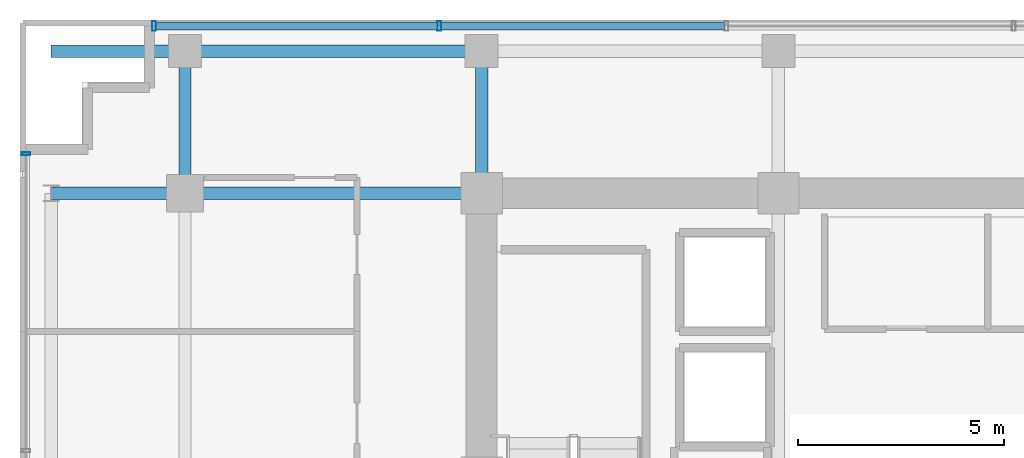
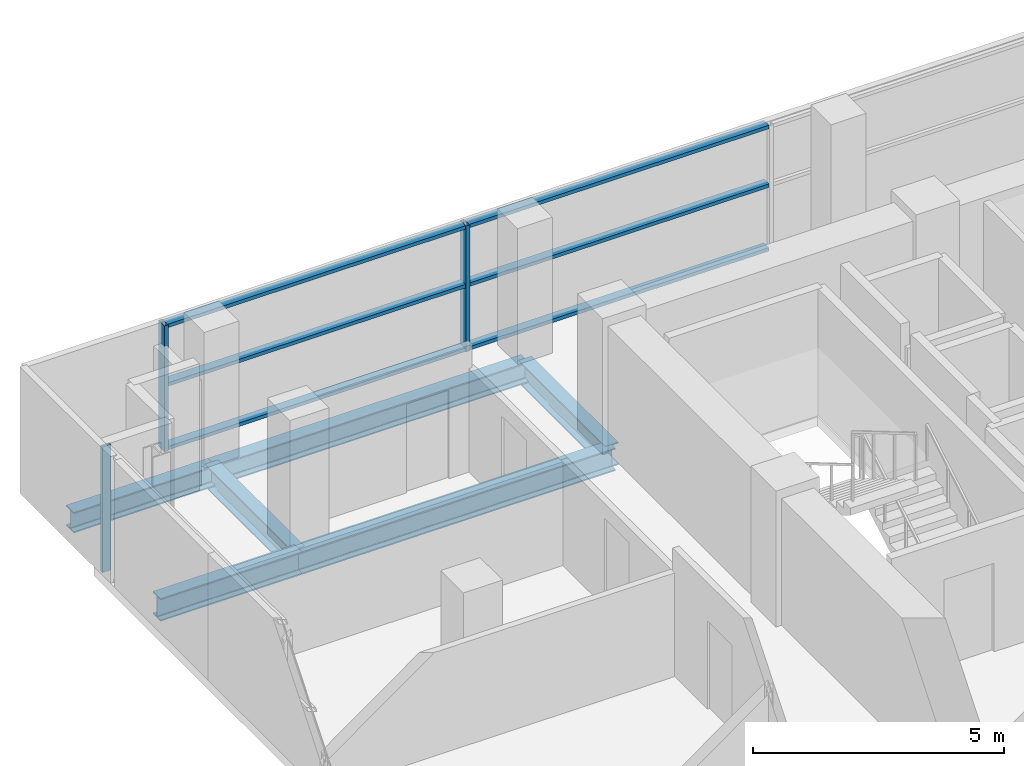
# One storey, part 12 of 24: 9 members, 6 beams, 2 elements without a shape of their own.
"""IFC4 building model written with IfcOpenShell, lengths in metres."""

from ifc_helpers import new_model, si_unit, direction, frame, origin, origin_2d, place, context, subcontext, project, spatial, hollow_rectangle, i_section, extrude, source, transform, mapped, material, layer, layer_set, material_profile, profile_set, type_object, element, aggregate, save


model = new_model("IFC4")

# Units and contexts
model_context = context("Model", 3, precision=1e-05, world=origin(), true_north=direction((0.0, 1.0)))
body_context = subcontext(model_context, "Body", "Model", "MODEL_VIEW")
ifc_project = project(units=[si_unit("LENGTHUNIT", "METRE"), si_unit("AREAUNIT", "SQUARE_METRE"), si_unit("VOLUMEUNIT", "CUBIC_METRE"), si_unit("PLANEANGLEUNIT", "RADIAN"), si_unit("MASSUNIT", "GRAM", prefix="KILO")], contexts=[model_context])

# Site, building, storey
site_placement = place(None, origin())
site = spatial("IfcSite", under=ifc_project, at=site_placement, CompositionType="ELEMENT")
building_placement = place(site_placement, origin())
building = spatial("IfcBuilding", under=site, at=building_placement, Name="Zarnakvel Exchange Tower", CompositionType="ELEMENT")
storey_placement = place(building_placement, frame((0.0, 0.0, 119.800048828125)))
storey = spatial("IfcBuildingStorey", under=building, at=storey_placement, Name="L33", CompositionType="ELEMENT", Elevation=119.800048828125)

# Beams
ifc_material_1 = material(Name="Steel S355", Category="steel")
ifc_material_profile_1 = material_profile(ifc_material_1, i_section(OverallWidth=0.300048828125, OverallDepth=0.550048828125, WebThickness=0.014892578125, FlangeThickness=0.029052734375, FilletRadius=0.027099609375, at=origin_2d()))
ifc_profile_set_1 = profile_set([ifc_material_profile_1], Name="Steel S355")
beam_type_1 = type_object("IfcBeamType", Name="G-05", PredefinedType="BEAM", material=ifc_profile_set_1)
beam_1_placement = place(storey_placement, frame((-24.85009765625, 13.5, -0.5), z_axis=(1.0, 0.0, 0.0), x_axis=(0.0, 1.0, 0.0)))
element("IfcBeam", 1, at=beam_1_placement, inside=storey, type_object=beam_type_1, Name="L33 Tower E-W Frame Beam", PredefinedType="BEAM", context=body_context, shape_type="SweptSolid", body=[
    extrude(i_section(OverallWidth=0.300048828125, OverallDepth=0.550048828125, WebThickness=0.014892578125, FlangeThickness=0.029052734375, FilletRadius=0.027099609375, at=origin_2d()), origin(), (0.0, 0.0, 1.0), 3.25),
])
beam_2_placement = place(storey_placement, frame((-21.60009765625, 13.5, -0.5), z_axis=(1.0, 0.0, 0.0), x_axis=(0.0, 1.0, 0.0)))
element("IfcBeam", 2, at=beam_2_placement, inside=storey, type_object=beam_type_1, Name="L33 Tower E-W Frame Beam", PredefinedType="BEAM", context=body_context, shape_type="SweptSolid", body=[
    extrude(i_section(OverallWidth=0.300048828125, OverallDepth=0.550048828125, WebThickness=0.014892578125, FlangeThickness=0.029052734375, FilletRadius=0.027099609375, at=origin_2d()), origin(), (0.0, 0.0, 1.0), 7.2001953125),
])
for number, where, z_axis, x_axis, name in (
    (3, (-21.60009765625, 13.5, -0.5), (0.0, 1.0, 0.0), (-1.0, 0.0, 0.0), "L33 Tower N-S Frame Beam"),
    (4, (-14.39990234375, 13.5, -0.5), (0.0, 1.0, 0.0), (-1.0, 0.0, 0.0), "L33 Tower N-S Frame Beam"),
):
    element("IfcBeam", number, at=place(storey_placement, frame(where, z_axis=z_axis, x_axis=x_axis)), inside=storey, type_object=beam_type_1, Name=name, PredefinedType="BEAM", context=body_context, shape_type="SweptSolid", body=[
        extrude(i_section(OverallWidth=0.300048828125, OverallDepth=0.550048828125, WebThickness=0.014892578125, FlangeThickness=0.029052734375, FilletRadius=0.027099609375, at=origin_2d()), origin(), (0.0, 0.0, 1.0), 3.449951171875),
    ])
ifc_material_profile_2 = material_profile(ifc_material_1, i_section(OverallWidth=0.300048828125, OverallDepth=0.5, WebThickness=0.014404296875, FlangeThickness=0.028076171875, FilletRadius=0.027099609375, at=origin_2d()))
ifc_profile_set_2 = profile_set([ifc_material_profile_2], Name="Steel S355")
beam_type_2 = type_object("IfcBeamType", Name="SP-02", PredefinedType="SPANDREL", material=ifc_profile_set_2)
beam_3_placement = place(storey_placement, frame((-21.60009765625, 16.949951171875, -0.47509765625), z_axis=(1.0, 0.0, 0.0), x_axis=(0.0, 1.0, 0.0)))
element("IfcBeam", 5, at=beam_3_placement, inside=storey, type_object=beam_type_2, Name="L33 Tower E-W Frame Beam", PredefinedType="SPANDREL", context=body_context, shape_type="SweptSolid", body=[
    extrude(i_section(OverallWidth=0.300048828125, OverallDepth=0.5, WebThickness=0.014404296875, FlangeThickness=0.028076171875, FilletRadius=0.027099609375, at=origin_2d()), origin(), (0.0, 0.0, 1.0), 7.2001953125),
])
beam_4_placement = place(storey_placement, frame((-24.85009765625, 16.949951171875, -0.47509765625), z_axis=(1.0, 0.0, 0.0), x_axis=(0.0, 1.0, 0.0)))
element("IfcBeam", 6, at=beam_4_placement, inside=storey, type_object=beam_type_2, Name="L33 North-West Corner Spandrel", PredefinedType="SPANDREL", context=body_context, shape_type="SweptSolid", body=[
    extrude(i_section(OverallWidth=0.300048828125, OverallDepth=0.5, WebThickness=0.014404296875, FlangeThickness=0.028076171875, FilletRadius=0.027099609375, at=origin_2d()), origin(), (0.0, 0.0, 1.0), 3.25),
])

# Curtain wall, members
ifc_material_2 = material(Name="Architectural Bronze Anodised Aluminium", Category="aluminium")
ifc_layer_1 = layer(ifc_material_2, 0.239990234375)
ifc_layer_set_1 = layer_set([ifc_layer_1], Name="Architectural Bronze Anodised Aluminium")
curtain_wall_type_1 = type_object("IfcCurtainWallType", Name="CW-02", PredefinedType="NOTDEFINED", material=ifc_layer_set_1)
curtain_wall_1_placement = place(storey_placement, origin())
curtain_wall_1 = element("IfcCurtainWall", 7, at=curtain_wall_1_placement, inside=storey, type_object=curtain_wall_type_1, Name="L33 Curtain Wall CW-L33-N1 (CW-02)", PredefinedType="NOTDEFINED")
ifc_material_profile_3 = material_profile(ifc_material_2, hollow_rectangle(XDim=0.239990234375, YDim=0.090087890625, WallThickness=0.006103515625, at=origin_2d()))
ifc_profile_set_3 = profile_set([ifc_material_profile_3], Name="Architectural Bronze Anodised Aluminium")
member_type_1 = type_object("IfcMemberType", Name="CWM-02", PredefinedType="MULLION", material=ifc_profile_set_3)
shared_shape_1 = source(origin(), body_context, "Body", "SweptSolid", [
    extrude(hollow_rectangle(XDim=0.239990234375, YDim=0.090087890625, WallThickness=0.006103515625, at=origin_2d()), origin(), (0.0, 0.0, 1.0), 3.054931640625),
])
member_1_placement = place(storey_placement, frame((-22.35498046875, 17.56005859375, 0.0), z_axis=(0.0, 0.0, 1.0), x_axis=(0.0, 1.0, 0.0)))
member_1 = element("IfcMember", 8, at=member_1_placement, type_object=member_type_1, Name="CW-02 mullion 1", PredefinedType="MULLION", context=body_context, shape_type="MappedRepresentation", body=[
    mapped(shared_shape_1, transform((0.0, 0.0, 0.0), x_axis=(1.0, 0.0, 0.0), y_axis=(0.0, 1.0, 0.0), z_axis=(0.0, 0.0, 1.0), scale=1.0)),
])
member_2_placement = place(storey_placement, frame((-15.428466796875, 17.56005859375, 0.0), z_axis=(0.0, 0.0, 1.0), x_axis=(0.0, 1.0, 0.0)))
member_2 = element("IfcMember", 9, at=member_2_placement, type_object=member_type_1, Name="CW-02 mullion 2", PredefinedType="MULLION", context=body_context, shape_type="MappedRepresentation", body=[
    mapped(shared_shape_1, transform((0.0, 0.0, 0.0), x_axis=(1.0, 0.0, 0.0), y_axis=(0.0, 1.0, 0.0), z_axis=(0.0, 0.0, 1.0), scale=1.0)),
])

# Curtain wall, member
ifc_layer_2 = layer(ifc_material_2, 0.199951171875)
ifc_layer_set_2 = layer_set([ifc_layer_2], Name="Architectural Bronze Anodised Aluminium")
curtain_wall_type_2 = type_object("IfcCurtainWallType", Name="CW-04", PredefinedType="NOTDEFINED", material=ifc_layer_set_2)
curtain_wall_2_placement = place(storey_placement, origin())
curtain_wall_2 = element("IfcCurtainWall", 10, at=curtain_wall_2_placement, inside=storey, type_object=curtain_wall_type_2, Name="L33 Curtain Wall CW-L33-W1 (CW-04)", PredefinedType="NOTDEFINED")
ifc_material_profile_4 = material_profile(ifc_material_2, hollow_rectangle(XDim=0.199951171875, YDim=0.074951171875, WallThickness=0.0048828125, at=origin_2d()))
ifc_profile_set_4 = profile_set([ifc_material_profile_4], Name="Architectural Bronze Anodised Aluminium")
member_type_2 = type_object("IfcMemberType", Name="CWM-04", PredefinedType="MULLION", material=ifc_profile_set_4)
shared_shape_2 = source(origin(), body_context, "Body", "SweptSolid", [
    extrude(hollow_rectangle(XDim=0.199951171875, YDim=0.074951171875, WallThickness=0.0048828125, at=origin_2d()), origin(), (0.0, 0.0, 1.0), 3.054931640625),
])
member_3_placement = place(storey_placement, frame((-25.4599609375, 14.46240234375, 0.0), z_axis=(0.0, 0.0, 1.0), x_axis=(-1.0, 0.0, 0.0)))
member_3 = element("IfcMember", 11, at=member_3_placement, type_object=member_type_2, Name="CW-04 mullion 5", PredefinedType="MULLION", context=body_context, shape_type="MappedRepresentation", body=[
    mapped(shared_shape_2, transform((0.0, 0.0, 0.0), x_axis=(1.0, 0.0, 0.0), y_axis=(0.0, 1.0, 0.0), z_axis=(0.0, 0.0, 1.0), scale=1.0)),
])
aggregate(curtain_wall_2, [member_3])

# Member
ifc_material_profile_5 = material_profile(ifc_material_2, hollow_rectangle(XDim=0.199951171875, YDim=0.0849609375, WallThickness=0.0048828125, at=origin_2d()))
ifc_profile_set_5 = profile_set([ifc_material_profile_5], Name="Architectural Bronze Anodised Aluminium")
member_type_3 = type_object("IfcMemberType", Name="CWT-02", PredefinedType="USERDEFINED", material=ifc_profile_set_5)
shared_shape_3 = source(origin(), body_context, "Body", "SweptSolid", [
    extrude(hollow_rectangle(XDim=0.199951171875, YDim=0.0849609375, WallThickness=0.0048828125, at=origin_2d()), origin(), (0.0, 0.0, 1.0), 6.83642578125),
])
member_4_placement = place(storey_placement, frame((-22.31005859375, 17.56005859375, 0.04248046875), z_axis=(1.0, 0.0, 0.0), x_axis=(0.0, 1.0, 0.0)))
member_4 = element("IfcMember", 12, at=member_4_placement, type_object=member_type_3, Name="CW-02 transom 1.1", ObjectType="TRANSOM", PredefinedType="USERDEFINED", context=body_context, shape_type="MappedRepresentation", body=[
    mapped(shared_shape_3, transform((0.0, 0.0, 0.0), x_axis=(1.0, 0.0, 0.0), y_axis=(0.0, 1.0, 0.0), z_axis=(0.0, 0.0, 1.0), scale=1.0)),
])

member_5_placement = place(storey_placement, frame((-22.31005859375, 17.56005859375, 1.588623046875), z_axis=(1.0, 0.0, 0.0), x_axis=(0.0, 1.0, 0.0)))
member_5 = element("IfcMember", 13, at=member_5_placement, type_object=member_type_3, Name="CW-02 transom 1.2", ObjectType="TRANSOM", PredefinedType="USERDEFINED", context=body_context, shape_type="MappedRepresentation", body=[
    mapped(shared_shape_3, transform((0.0, 0.0, 0.0), x_axis=(1.0, 0.0, 0.0), y_axis=(0.0, 1.0, 0.0), z_axis=(0.0, 0.0, 1.0), scale=1.0)),
])

member_6_placement = place(storey_placement, frame((-22.31005859375, 17.56005859375, 3.012451171875), z_axis=(1.0, 0.0, 0.0), x_axis=(0.0, 1.0, 0.0)))
member_6 = element("IfcMember", 14, at=member_6_placement, type_object=member_type_3, Name="CW-02 transom 1.3", ObjectType="TRANSOM", PredefinedType="USERDEFINED", context=body_context, shape_type="MappedRepresentation", body=[
    mapped(shared_shape_3, transform((0.0, 0.0, 0.0), x_axis=(1.0, 0.0, 0.0), y_axis=(0.0, 1.0, 0.0), z_axis=(0.0, 0.0, 1.0), scale=1.0)),
])

shared_shape_4 = source(origin(), body_context, "Body", "SweptSolid", [
    extrude(hollow_rectangle(XDim=0.199951171875, YDim=0.0849609375, WallThickness=0.0048828125, at=origin_2d()), origin(), (0.0, 0.0, 1.0), 6.88134765625),
])
member_7_placement = place(storey_placement, frame((-15.383544921875, 17.56005859375, 0.04248046875), z_axis=(1.0, 0.0, 0.0), x_axis=(0.0, 1.0, 0.0)))
member_7 = element("IfcMember", 15, at=member_7_placement, type_object=member_type_3, Name="CW-02 transom 2.1", ObjectType="TRANSOM", PredefinedType="USERDEFINED", context=body_context, shape_type="MappedRepresentation", body=[
    mapped(shared_shape_4, transform((0.0, 0.0, 0.0), x_axis=(1.0, 0.0, 0.0), y_axis=(0.0, 1.0, 0.0), z_axis=(0.0, 0.0, 1.0), scale=1.0)),
])

member_8_placement = place(storey_placement, frame((-15.383544921875, 17.56005859375, 1.588623046875), z_axis=(1.0, 0.0, 0.0), x_axis=(0.0, 1.0, 0.0)))
member_8 = element("IfcMember", 16, at=member_8_placement, type_object=member_type_3, Name="CW-02 transom 2.2", ObjectType="TRANSOM", PredefinedType="USERDEFINED", context=body_context, shape_type="MappedRepresentation", body=[
    mapped(shared_shape_4, transform((0.0, 0.0, 0.0), x_axis=(1.0, 0.0, 0.0), y_axis=(0.0, 1.0, 0.0), z_axis=(0.0, 0.0, 1.0), scale=1.0)),
])

member_9_placement = place(storey_placement, frame((-15.383544921875, 17.56005859375, 3.012451171875), z_axis=(1.0, 0.0, 0.0), x_axis=(0.0, 1.0, 0.0)))
member_9 = element("IfcMember", 17, at=member_9_placement, type_object=member_type_3, Name="CW-02 transom 2.3", ObjectType="TRANSOM", PredefinedType="USERDEFINED", context=body_context, shape_type="MappedRepresentation", body=[
    mapped(shared_shape_4, transform((0.0, 0.0, 0.0), x_axis=(1.0, 0.0, 0.0), y_axis=(0.0, 1.0, 0.0), z_axis=(0.0, 0.0, 1.0), scale=1.0)),
])

aggregate(curtain_wall_1, [member_1, member_2, member_4, member_5, member_6, member_7, member_8, member_9])

save(model, "model.ifc")
